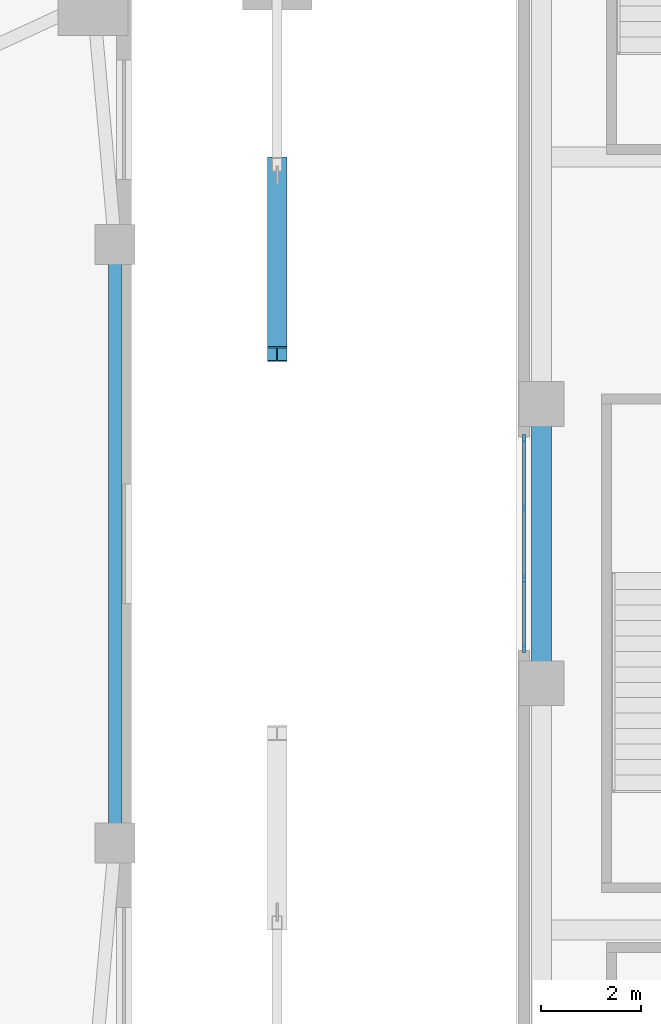
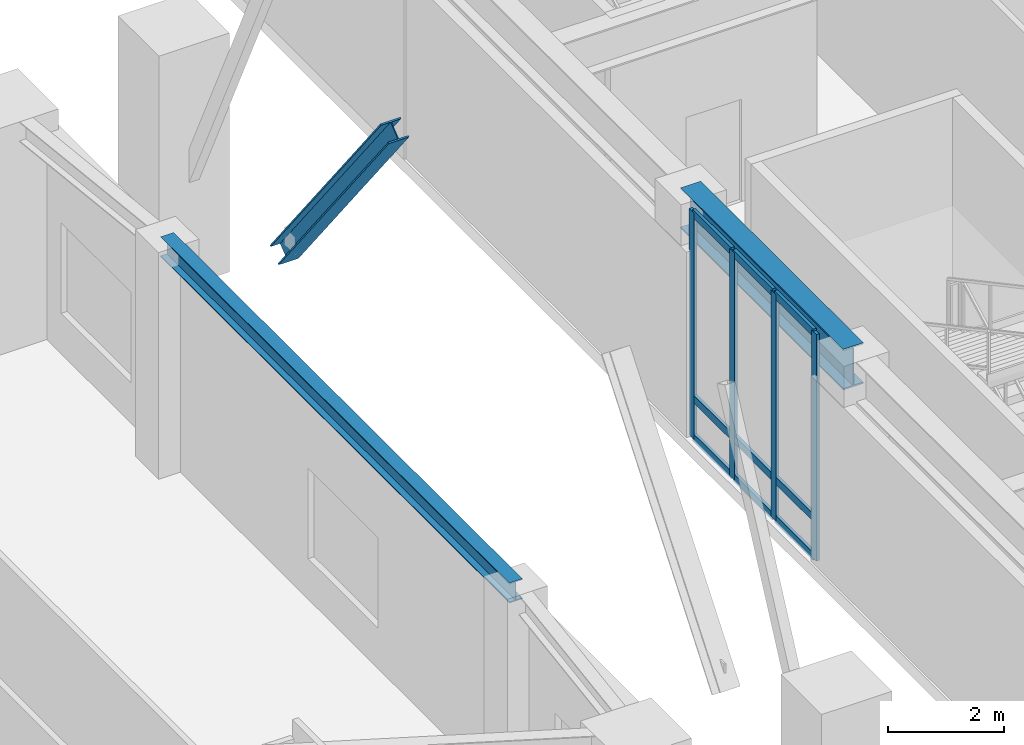
# One storey, part 5 of 24: 14 members, 2 beams, 1 element without a shape of its own.
"""IFC4 building model written with IfcOpenShell, lengths in metres."""

from ifc_helpers import new_model, si_unit, direction, frame, origin, origin_2d, place, context, subcontext, project, spatial, rectangle, i_section, extrude, material, layer, layer_set, material_profile, profile_set, type_object, element, aggregate, save


model = new_model("IFC4")

# Units and contexts
model_context = context("Model", 3, precision=1e-05, world=origin(), true_north=direction((0.0, 1.0)))
body_context = subcontext(model_context, "Body", "Model", "MODEL_VIEW")
ifc_project = project(units=[si_unit("LENGTHUNIT", "METRE"), si_unit("AREAUNIT", "SQUARE_METRE"), si_unit("VOLUMEUNIT", "CUBIC_METRE"), si_unit("PLANEANGLEUNIT", "RADIAN"), si_unit("MASSUNIT", "GRAM", prefix="KILO")], contexts=[model_context])

# Site, building, storey
site_placement = place(None, origin())
site = spatial("IfcSite", under=ifc_project, at=site_placement, CompositionType="ELEMENT")
building_placement = place(site_placement, origin())
building = spatial("IfcBuilding", under=site, at=building_placement, Name="Kolvaren Gate Tower and Convention Centre", CompositionType="ELEMENT")
storey_placement = place(building_placement, frame((0.0, 0.0, 10.0)))
storey = spatial("IfcBuildingStorey", under=building, at=storey_placement, Name="L02", CompositionType="ELEMENT", Elevation=10.0)

# Curtain wall, members
ifc_material_1 = material(Name="Anodized Architectural Aluminium Alloy 6063-T6", Category="aluminium")
ifc_layer = layer(ifc_material_1, 0.179931640625)
ifc_layer_set = layer_set([ifc_layer], Name="Anodized Architectural Aluminium Alloy 6063-T6")
curtain_wall_type = type_object("IfcCurtainWallType", Name="CW-CONV-GLZ", PredefinedType="NOTDEFINED", material=ifc_layer_set)
curtain_wall_placement = place(storey_placement, origin())
curtain_wall = element("IfcCurtainWall", 1, at=curtain_wall_placement, inside=storey, type_object=curtain_wall_type, Name="Convention L02 W Foyer Curtain Wall CW-CC-L02-W", PredefinedType="NOTDEFINED")
ifc_material_profile_1 = material_profile(ifc_material_1, rectangle(XDim=0.06494140625, YDim=0.159912109375, at=origin_2d()), Name="CW-MEM-MUL-160")
ifc_profile_set_1 = profile_set([ifc_material_profile_1], Name="Anodized Architectural Aluminium Alloy 6063-T6")
member_type_1 = type_object("IfcMemberType", Name="CW-MEM-MUL-160", PredefinedType="MULLION", material=ifc_profile_set_1)
member_1_placement = place(storey_placement, frame((62.35009765625, 24.892578125, 0.0), z_axis=(0.0, 0.0, 1.0), x_axis=(-1.0, 0.0, 0.0)))
member_1 = element("IfcMember", 2, at=member_1_placement, type_object=member_type_1, Name="CW-06 mullion 1", PredefinedType="MULLION", context=body_context, shape_type="SweptSolid", body=[
    extrude(rectangle(XDim=0.06494140625, YDim=0.159912109375, at=origin_2d()), origin(), (0.0, 0.0, 1.0), 4.760009765625),
])
member_2_placement = place(storey_placement, frame((62.35009765625, 26.28662109375, 0.0), z_axis=(0.0, 0.0, 1.0), x_axis=(-1.0, 0.0, 0.0)))
member_2 = element("IfcMember", 3, at=member_2_placement, type_object=member_type_1, Name="CW-06 mullion 2", PredefinedType="MULLION", context=body_context, shape_type="SweptSolid", body=[
    extrude(rectangle(XDim=0.06494140625, YDim=0.159912109375, at=origin_2d()), origin(), (0.0, 0.0, 1.0), 4.760009765625),
])
member_3_placement = place(storey_placement, frame((62.35009765625, 27.71337890625, 0.0), z_axis=(0.0, 0.0, 1.0), x_axis=(-1.0, 0.0, 0.0)))
member_3 = element("IfcMember", 4, at=member_3_placement, type_object=member_type_1, Name="CW-06 mullion 3", PredefinedType="MULLION", context=body_context, shape_type="SweptSolid", body=[
    extrude(rectangle(XDim=0.06494140625, YDim=0.159912109375, at=origin_2d()), origin(), (0.0, 0.0, 1.0), 4.760009765625),
])
member_4_placement = place(storey_placement, frame((62.35009765625, 29.107421875, 0.0), z_axis=(0.0, 0.0, 1.0), x_axis=(-1.0, 0.0, 0.0)))
member_4 = element("IfcMember", 5, at=member_4_placement, type_object=member_type_1, Name="CW-06 mullion 4", PredefinedType="MULLION", context=body_context, shape_type="SweptSolid", body=[
    extrude(rectangle(XDim=0.06494140625, YDim=0.159912109375, at=origin_2d()), origin(), (0.0, 0.0, 1.0), 4.760009765625),
])
ifc_material_profile_2 = material_profile(ifc_material_1, rectangle(XDim=0.06494140625, YDim=0.159912109375, at=origin_2d()), Name="CW-MEM-TRN-160")
ifc_profile_set_2 = profile_set([ifc_material_profile_2], Name="Anodized Architectural Aluminium Alloy 6063-T6")
member_type_2 = type_object("IfcMemberType", Name="CW-MEM-TRN-160", PredefinedType="USERDEFINED", material=ifc_profile_set_2)
member_5_placement = place(storey_placement, frame((62.35009765625, 24.925048828125, 0.032470703125), z_axis=(0.0, 1.0, 0.0), x_axis=(-1.0, 0.0, 0.0)))
member_5 = element("IfcMember", 6, at=member_5_placement, type_object=member_type_2, Name="CW-06 transom 1.1", ObjectType="TRANSOM", PredefinedType="USERDEFINED", context=body_context, shape_type="SweptSolid", body=[
    extrude(rectangle(XDim=0.06494140625, YDim=0.159912109375, at=origin_2d()), origin(), (0.0, 0.0, 1.0), 1.3291015625),
])
member_6_placement = place(storey_placement, frame((62.35009765625, 24.925048828125, 0.85009765625), z_axis=(0.0, 1.0, 0.0), x_axis=(-1.0, 0.0, 0.0)))
member_6 = element("IfcMember", 7, at=member_6_placement, type_object=member_type_2, Name="CW-06 transom 1.2", ObjectType="TRANSOM", PredefinedType="USERDEFINED", context=body_context, shape_type="SweptSolid", body=[
    extrude(rectangle(XDim=0.06494140625, YDim=0.159912109375, at=origin_2d()), origin(), (0.0, 0.0, 1.0), 1.3291015625),
])
member_7_placement = place(storey_placement, frame((62.35009765625, 24.925048828125, 4.7275390625), z_axis=(0.0, 1.0, 0.0), x_axis=(-1.0, 0.0, 0.0)))
member_7 = element("IfcMember", 8, at=member_7_placement, type_object=member_type_2, Name="CW-06 transom 1.3", ObjectType="TRANSOM", PredefinedType="USERDEFINED", context=body_context, shape_type="SweptSolid", body=[
    extrude(rectangle(XDim=0.06494140625, YDim=0.159912109375, at=origin_2d()), origin(), (0.0, 0.0, 1.0), 1.3291015625),
])
member_8_placement = place(storey_placement, frame((62.35009765625, 26.319091796875, 0.032470703125), z_axis=(0.0, 1.0, 0.0), x_axis=(-1.0, 0.0, 0.0)))
member_8 = element("IfcMember", 9, at=member_8_placement, type_object=member_type_2, Name="CW-06 transom 2.1", ObjectType="TRANSOM", PredefinedType="USERDEFINED", context=body_context, shape_type="SweptSolid", body=[
    extrude(rectangle(XDim=0.06494140625, YDim=0.159912109375, at=origin_2d()), origin(), (0.0, 0.0, 1.0), 1.36181640625),
])
member_9_placement = place(storey_placement, frame((62.35009765625, 26.319091796875, 0.85009765625), z_axis=(0.0, 1.0, 0.0), x_axis=(-1.0, 0.0, 0.0)))
member_9 = element("IfcMember", 10, at=member_9_placement, type_object=member_type_2, Name="CW-06 transom 2.2", ObjectType="TRANSOM", PredefinedType="USERDEFINED", context=body_context, shape_type="SweptSolid", body=[
    extrude(rectangle(XDim=0.06494140625, YDim=0.159912109375, at=origin_2d()), origin(), (0.0, 0.0, 1.0), 1.36181640625),
])
member_10_placement = place(storey_placement, frame((62.35009765625, 26.319091796875, 4.7275390625), z_axis=(0.0, 1.0, 0.0), x_axis=(-1.0, 0.0, 0.0)))
member_10 = element("IfcMember", 11, at=member_10_placement, type_object=member_type_2, Name="CW-06 transom 2.3", ObjectType="TRANSOM", PredefinedType="USERDEFINED", context=body_context, shape_type="SweptSolid", body=[
    extrude(rectangle(XDim=0.06494140625, YDim=0.159912109375, at=origin_2d()), origin(), (0.0, 0.0, 1.0), 1.36181640625),
])
member_11_placement = place(storey_placement, frame((62.35009765625, 27.745849609375, 0.032470703125), z_axis=(0.0, 1.0, 0.0), x_axis=(-1.0, 0.0, 0.0)))
member_11 = element("IfcMember", 12, at=member_11_placement, type_object=member_type_2, Name="CW-06 transom 3.1", ObjectType="TRANSOM", PredefinedType="USERDEFINED", context=body_context, shape_type="SweptSolid", body=[
    extrude(rectangle(XDim=0.06494140625, YDim=0.159912109375, at=origin_2d()), origin(), (0.0, 0.0, 1.0), 1.3291015625),
])
member_12_placement = place(storey_placement, frame((62.35009765625, 27.745849609375, 0.85009765625), z_axis=(0.0, 1.0, 0.0), x_axis=(-1.0, 0.0, 0.0)))
member_12 = element("IfcMember", 13, at=member_12_placement, type_object=member_type_2, Name="CW-06 transom 3.2", ObjectType="TRANSOM", PredefinedType="USERDEFINED", context=body_context, shape_type="SweptSolid", body=[
    extrude(rectangle(XDim=0.06494140625, YDim=0.159912109375, at=origin_2d()), origin(), (0.0, 0.0, 1.0), 1.3291015625),
])
member_13_placement = place(storey_placement, frame((62.35009765625, 27.745849609375, 4.7275390625), z_axis=(0.0, 1.0, 0.0), x_axis=(-1.0, 0.0, 0.0)))
member_13 = element("IfcMember", 14, at=member_13_placement, type_object=member_type_2, Name="CW-06 transom 3.3", ObjectType="TRANSOM", PredefinedType="USERDEFINED", context=body_context, shape_type="SweptSolid", body=[
    extrude(rectangle(XDim=0.06494140625, YDim=0.159912109375, at=origin_2d()), origin(), (0.0, 0.0, 1.0), 1.3291015625),
])
aggregate(curtain_wall, [member_1, member_2, member_3, member_4, member_5, member_6, member_7, member_8, member_9, member_10, member_11, member_12, member_13])

# Beams
ifc_material_2 = material(Name="Structural steel ASTM A992 Grade 345 MPa", Category="steel")
ifc_material_profile_3 = material_profile(ifc_material_2, i_section(OverallWidth=0.260986328125, OverallDepth=0.419921875, WebThickness=0.01171875, FlangeThickness=0.019287109375, at=origin_2d()), Name="W410X114")
ifc_profile_set_3 = profile_set([ifc_material_profile_3], Name="Structural steel ASTM A992 Grade 345 MPa")
beam_type_1 = type_object("IfcBeamType", Name="STR-BM-W410X114", PredefinedType="BEAM", material=ifc_profile_set_3)
beam_1_placement = place(storey_placement, frame((54.14990234375, 21.0, 4.550048828125), z_axis=(0.0, 1.0, 0.0), x_axis=(-1.0, 0.0, 0.0)))
element("IfcBeam", 15, at=beam_1_placement, inside=storey, type_object=beam_type_1, Name="Tower L02 Recessed Arch Edge Spandrel AE-2", PredefinedType="BEAM", context=body_context, shape_type="SweptSolid", body=[
    extrude(i_section(OverallWidth=0.260986328125, OverallDepth=0.419921875, WebThickness=0.01171875, FlangeThickness=0.019287109375, at=origin_2d()), origin(), (0.0, 0.0, 1.0), 12.0),
])
ifc_material_profile_4 = material_profile(ifc_material_2, i_section(OverallWidth=0.39990234375, OverallDepth=0.85498046875, WebThickness=0.018310546875, FlangeThickness=0.029296875, at=origin_2d()), Name="W840X299")
ifc_profile_set_4 = profile_set([ifc_material_profile_4], Name="Structural steel ASTM A992 Grade 345 MPa")
beam_type_2 = type_object("IfcBeamType", Name="STR-BM-W840X299", PredefinedType="BEAM", material=ifc_profile_set_4)
beam_2_placement = place(storey_placement, frame((62.699951171875, 24.199951171875, 4.33251953125), z_axis=(0.0, 1.0, 0.0), x_axis=(-1.0, 0.0, 0.0)))
element("IfcBeam", 16, at=beam_2_placement, inside=storey, type_object=beam_type_2, Name="Convention L02 Longitudinal Girder CG-14", PredefinedType="BEAM", context=body_context, shape_type="SweptSolid", body=[
    extrude(i_section(OverallWidth=0.39990234375, OverallDepth=0.85498046875, WebThickness=0.018310546875, FlangeThickness=0.029296875, at=origin_2d()), origin(), (0.0, 0.0, 1.0), 5.60009765625),
])

# Member
ifc_material_profile_5 = material_profile(ifc_material_2, i_section(OverallWidth=0.39501953125, OverallDepth=0.3798828125, WebThickness=0.018798828125, FlangeThickness=0.0302734375, at=origin_2d()), Name="W360X237")
ifc_profile_set_5 = profile_set([ifc_material_profile_5], Name="Structural steel ASTM A992 Grade 345 MPa")
member_type_3 = type_object("IfcMemberType", Name="STR-CH-W360X237", PredefinedType="CHORD", material=ifc_profile_set_5)
member_14_placement = place(storey_placement, frame((57.39990234375, 30.800048828125, 7.14208984375), z_axis=(0.0, 0.616493002987, -0.78736038589), x_axis=(-1.0, 0.0, 0.0)))
element("IfcMember", 17, at=member_14_placement, inside=storey, type_object=member_type_3, Name="Monumental East Portal Parabolic Arch Rib AR-05", PredefinedType="CHORD", context=body_context, shape_type="SweptSolid", body=[
    extrude(i_section(OverallWidth=0.39501953125, OverallDepth=0.3798828125, WebThickness=0.018798828125, FlangeThickness=0.0302734375, at=origin_2d()), origin(), (0.0, 0.0, 1.0), 6.1640625),
])

save(model, "model.ifc")
